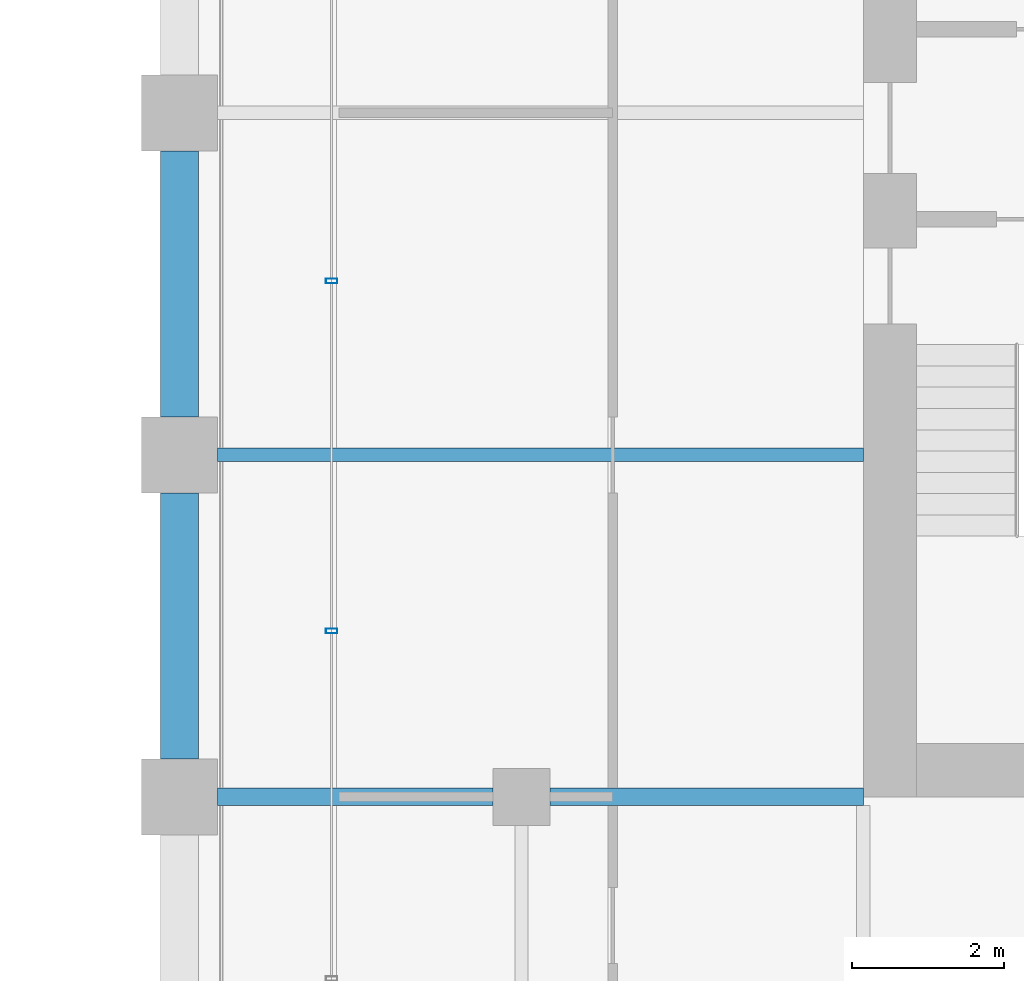
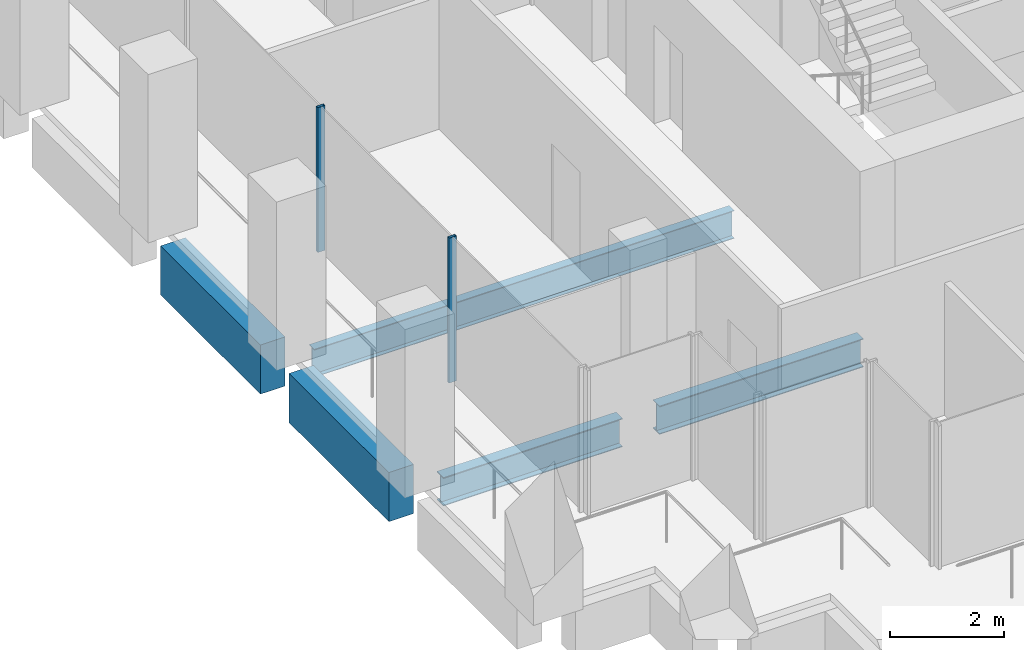
# One storey, part 30 of 46: 5 beams, 2 members, 1 element without a shape of its own.
"""IFC4 building model written with IfcOpenShell, lengths in metres."""

from ifc_helpers import new_model, si_unit, direction, frame, origin, origin_2d, place, context, subcontext, project, spatial, rectangle, hollow_rectangle, i_section, extrude, material, material_profile, profile_set, type_object, element, aggregate, save


model = new_model("IFC4")

# Units and contexts
model_context = context("Model", 3, precision=1e-05, world=origin(), true_north=direction((0.0, 1.0)))
body_context = subcontext(model_context, "Body", "Model", "MODEL_VIEW")
ifc_project = project(units=[si_unit("LENGTHUNIT", "METRE"), si_unit("AREAUNIT", "SQUARE_METRE"), si_unit("VOLUMEUNIT", "CUBIC_METRE"), si_unit("PLANEANGLEUNIT", "RADIAN"), si_unit("MASSUNIT", "GRAM", prefix="KILO")], contexts=[model_context])

# Site, building, storey
site_placement = place(None, origin())
site = spatial("IfcSite", under=ifc_project, at=site_placement, CompositionType="ELEMENT")
building_placement = place(site_placement, origin())
building = spatial("IfcBuilding", under=site, at=building_placement, Name="Altepetl Exchange Towers", CompositionType="ELEMENT")
storey_placement = place(building_placement, frame((0.0, 0.0, 128.0)))
storey = spatial("IfcBuildingStorey", under=building, at=storey_placement, Name="L31", CompositionType="ELEMENT", Elevation=128.0)

# Beams
ifc_material_1 = material(Name="Steel S355", Category="steel")
ifc_material_profile_1 = material_profile(ifc_material_1, i_section(OverallWidth=0.177978515625, OverallDepth=0.59912109375, WebThickness=0.010009765625, FlangeThickness=0.0126953125, at=origin_2d()), Name="W24X55")
ifc_profile_set_1 = profile_set([ifc_material_profile_1], Name="Steel S355")
beam_type_1 = type_object("IfcBeamType", Name="Floor beam W24X55", PredefinedType="BEAM", material=ifc_profile_set_1)
beam_1_placement = place(storey_placement, frame((95.0, 40.5, -0.449462890625), z_axis=(1.0, 0.0, 0.0), x_axis=(0.0, 1.0, 0.0)))
element("IfcBeam", 1, at=beam_1_placement, inside=storey, type_object=beam_type_1, Name="bm:B:L31:008", PredefinedType="BEAM", context=body_context, shape_type="SweptSolid", body=[
    extrude(i_section(OverallWidth=0.177978515625, OverallDepth=0.59912109375, WebThickness=0.010009765625, FlangeThickness=0.0126953125, at=origin_2d()), origin(), (0.0, 0.0, 1.0), 8.5),
])
ifc_material_profile_2 = material_profile(ifc_material_1, i_section(OverallWidth=0.22802734375, OverallDepth=0.60791015625, WebThickness=0.01123046875, FlangeThickness=0.017333984375, at=origin_2d()), Name="W24X76")
ifc_profile_set_2 = profile_set([ifc_material_profile_2], Name="Steel S355")
beam_type_2 = type_object("IfcBeamType", Name="Girder W24X76", PredefinedType="BEAM", material=ifc_profile_set_2)
beam_2_placement = place(storey_placement, frame((103.5, 36.0, -0.4541015625), z_axis=(-1.0, 0.0, 0.0), x_axis=(0.0, -1.0, 0.0)))
element("IfcBeam", 2, at=beam_2_placement, inside=storey, type_object=beam_type_2, Name="gd:B:L31:002", PredefinedType="BEAM", context=body_context, shape_type="SweptSolid", body=[
    extrude(i_section(OverallWidth=0.22802734375, OverallDepth=0.60791015625, WebThickness=0.01123046875, FlangeThickness=0.017333984375, at=origin_2d()), origin(), (0.0, 0.0, 1.0), 4.125),
])
beam_3_placement = place(storey_placement, frame((98.625, 36.0, -0.4541015625), z_axis=(-1.0, 0.0, 0.0), x_axis=(0.0, -1.0, 0.0)))
element("IfcBeam", 3, at=beam_3_placement, inside=storey, type_object=beam_type_2, Name="gd:B:L31:003", PredefinedType="BEAM", context=body_context, shape_type="SweptSolid", body=[
    extrude(i_section(OverallWidth=0.22802734375, OverallDepth=0.60791015625, WebThickness=0.01123046875, FlangeThickness=0.017333984375, at=origin_2d()), origin(), (0.0, 0.0, 1.0), 3.625),
])

# Curtain wall, members
ifc_material_2 = material(Name="Aluminium 6063-T6 glazing", Category="aluminium")
curtain_wall_type = type_object("IfcCurtainWallType", Name="Loggia glazing system", PredefinedType="NOTDEFINED", material=ifc_material_2)
curtain_wall_placement = place(storey_placement, origin())
curtain_wall = element("IfcCurtainWall", 4, at=curtain_wall_placement, inside=storey, type_object=curtain_wall_type, Name="CW1 run", PredefinedType="NOTDEFINED")
ifc_material_3 = material(Name="Aluminium 6063-T6", Category="aluminium")
ifc_material_profile_3 = material_profile(ifc_material_3, hollow_rectangle(XDim=0.06005859375, YDim=0.14990234375, WallThickness=0.0029296875, at=origin_2d()), Name="Mullion 60x150 aluminium")
ifc_profile_set_3 = profile_set([ifc_material_profile_3], Name="Aluminium 6063-T6")
member_type = type_object("IfcMemberType", Name="Mullion 60x150 aluminium", PredefinedType="MULLION", material=ifc_profile_set_3)
member_1_placement = place(storey_placement, frame((96.5, 42.78759765625, 0.0), z_axis=(0.0, 0.0, 1.0), x_axis=(0.0, -1.0, 0.0)))
member_1 = element("IfcMember", 5, at=member_1_placement, type_object=member_type, Name="MU1 mullion", PredefinedType="MULLION", context=body_context, shape_type="SweptSolid", body=[
    extrude(hollow_rectangle(XDim=0.06005859375, YDim=0.14990234375, WallThickness=0.0029296875, at=origin_2d()), origin(), (0.0, 0.0, 1.0), 3.10009765625),
])
member_2_placement = place(storey_placement, frame((96.5, 38.18115234375, 0.0), z_axis=(0.0, 0.0, 1.0), x_axis=(0.0, -1.0, 0.0)))
member_2 = element("IfcMember", 6, at=member_2_placement, type_object=member_type, Name="MU1 mullion", PredefinedType="MULLION", context=body_context, shape_type="SweptSolid", body=[
    extrude(hollow_rectangle(XDim=0.06005859375, YDim=0.14990234375, WallThickness=0.0029296875, at=origin_2d()), origin(), (0.0, 0.0, 1.0), 3.10009765625),
])
aggregate(curtain_wall, [member_1, member_2])

# Beams
ifc_material_4 = material(Name="Concrete C50/60 precast with cantera rosa facing", Category="concrete")
ifc_material_profile_4 = material_profile(ifc_material_4, rectangle(XDim=0.5, YDim=1.050048828125, at=origin_2d()), Name="500 x 1050")
ifc_profile_set_4 = profile_set([ifc_material_profile_4], Name="Concrete C50/60 precast with cantera rosa facing")
beam_type_3 = type_object("IfcBeamType", Name="Spandrel beam 500x1050 cantera rosa", PredefinedType="SPANDREL", material=ifc_profile_set_4)
for number, where, z_axis, x_axis, name in (
    (7, (94.5, 44.5, -0.675048828125), (0.0, -1.0, 0.0), (1.0, 0.0, 0.0), "sp:B:L31:024"),
    (8, (94.5, 40.0, -0.675048828125), (0.0, -1.0, 0.0), (1.0, 0.0, 0.0), "sp:B:L31:025"),
):
    element("IfcBeam", number, at=place(storey_placement, frame(where, z_axis=z_axis, x_axis=x_axis)), inside=storey, type_object=beam_type_3, Name=name, PredefinedType="SPANDREL", context=body_context, shape_type="SweptSolid", body=[
        extrude(rectangle(XDim=0.5, YDim=1.050048828125, at=origin_2d()), origin(), (0.0, 0.0, 1.0), 3.5),
    ])

save(model, "model.ifc")
